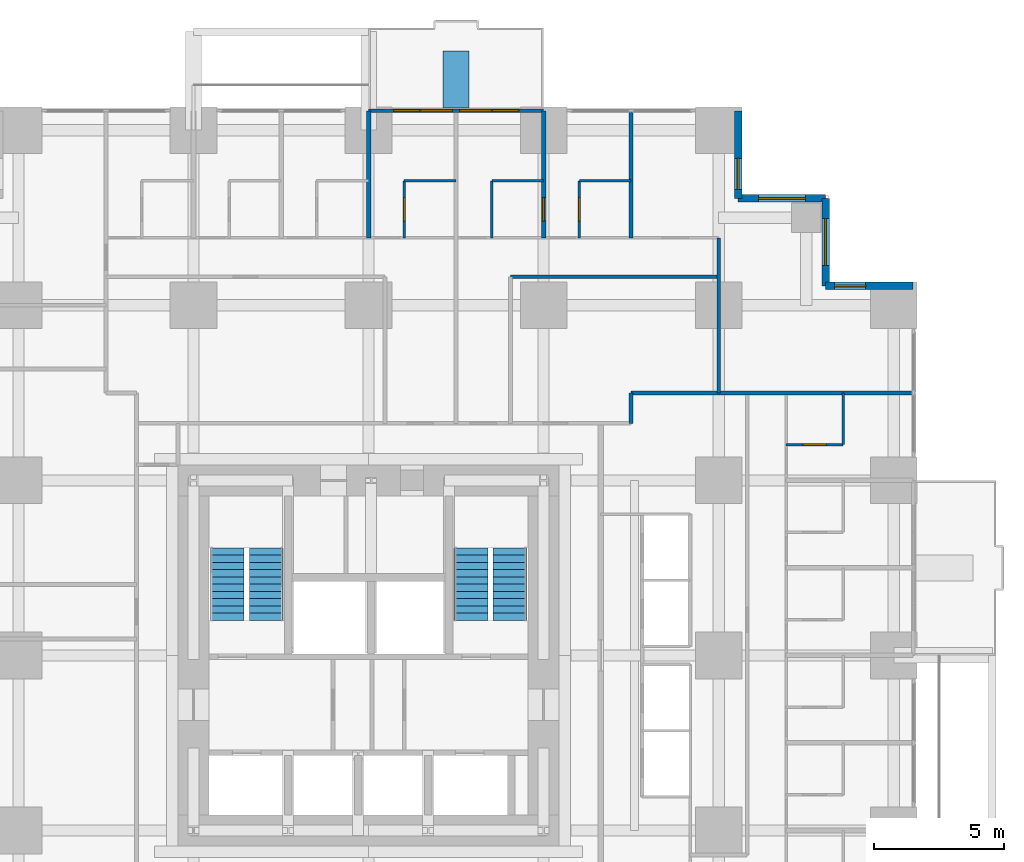
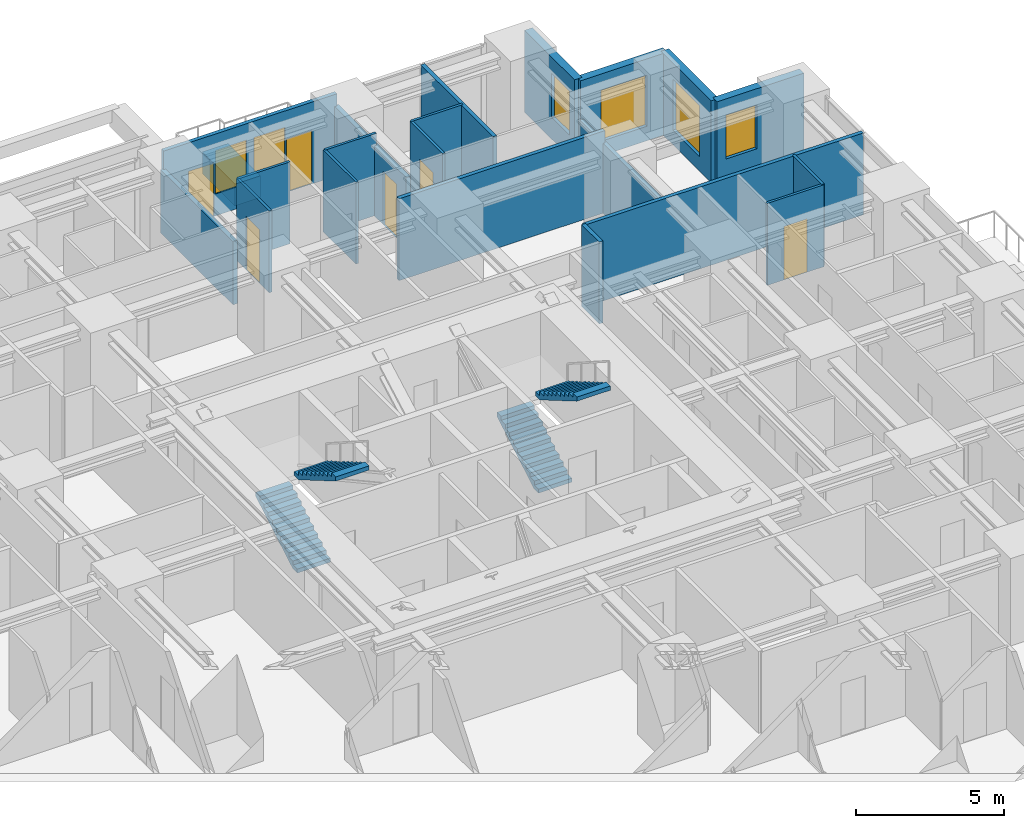
# One storey, part 13 of 14: 21 walls, 6 doors, 6 windows, 4 stair flights, 12 openings, 2 elements without a shape of their own.
"""IFC4 building model written with IfcOpenShell, lengths in metres."""

import ifcopenshell
import ifcopenshell.guid

model = None  # the IFC model being written
_history = None  # IfcOwnerHistory: only IFC2X3 demands one
_inside = {}  # id of a spatial element -> (the spatial element, [elements in it])
_under = {}  # id of a project, library or spatial element -> (it, [spatial elements below it])
_declared = {}  # id of a project -> (the project, [libraries it declares])
_typed = {}  # id of a type object -> (the type object, [elements of that type])
_made_of = {}  # id of a material, layer set ... -> (it, [elements and type objects made of it])


def new_model(schema):
    """Start an empty IFC model of exactly this schema.

    Asked for "IFC4X3", IfcOpenShell would pick the latest addendum, in which some entities
    have other attributes; the version numbers below select the first issue.
    IFC2X3 requires an IfcOwnerHistory on every rooted entity: one is made here for all.
    """
    global model, _history
    if schema == "IFC4X3":
        model = ifcopenshell.file(schema_version=(4, 3, 0, 0))
    else:
        model = ifcopenshell.file(schema=schema)
    _inside.clear()
    _under.clear()
    _declared.clear()
    _typed.clear()
    _made_of.clear()
    _history = None
    if model.schema == "IFC2X3":
        org = make("IfcOrganization", Name="unknown")
        user = make(
            "IfcPersonAndOrganization",
            ThePerson=make("IfcPerson", FamilyName="unknown"),
            TheOrganization=org,
        )
        app = make(
            "IfcApplication",
            ApplicationDeveloper=org,
            Version="unknown",
            ApplicationFullName="unknown",
            ApplicationIdentifier="unknown",
        )
        _history = make(
            "IfcOwnerHistory",
            OwningUser=user,
            OwningApplication=app,
            ChangeAction="ADDED",
            CreationDate=0,
        )
    return model


def make(cls, **values):
    """One entity of the class cls with the attributes given. An attribute that is None is left unset."""
    return model.create_entity(
        cls, **{name: value for name, value in values.items() if value is not None}
    )


def rooted(cls, **values):
    """An entity with a GlobalId (a new one), such as an element, a storey or a relation."""
    return make(cls, GlobalId=ifcopenshell.guid.new(), OwnerHistory=_history, **values)


def si_unit(unit_type, name, prefix=None):
    """IfcSIUnit, for example si_unit("LENGTHUNIT", "METRE", prefix="MILLI")."""
    return make("IfcSIUnit", UnitType=unit_type, Prefix=prefix, Name=name)


def assignment(units):
    """IfcUnitAssignment: the units of a project."""
    return None if units is None else make("IfcUnitAssignment", Units=units)


def point(xyz):
    """IfcCartesianPoint."""
    return None if xyz is None else make("IfcCartesianPoint", Coordinates=xyz)


def direction(xyz):
    """IfcDirection."""
    return None if xyz is None else make("IfcDirection", DirectionRatios=xyz)


def frame(location, z_axis=None, x_axis=None):
    """IfcAxis2Placement3D, a coordinate frame: its origin and axes. An axis left out is left unset."""
    return make(
        "IfcAxis2Placement3D",
        Location=point(location),
        Axis=direction(z_axis),
        RefDirection=direction(x_axis),
    )


def frame_2d(location, x_axis=None):
    """IfcAxis2Placement2D, a coordinate frame in the plane: its origin and x axis."""
    return make(
        "IfcAxis2Placement2D", Location=point(location), RefDirection=direction(x_axis)
    )


def origin():
    """The frame at (0, 0, 0) with its axes left unset."""
    return frame((0.0, 0.0, 0.0))


def place(relative_to, where):
    """IfcLocalPlacement: puts the frame where relative to a parent placement (None: the world)."""
    return make(
        "IfcLocalPlacement", PlacementRelTo=relative_to, RelativePlacement=where
    )


def context(
    kind, dimensions, precision=None, world=None, true_north=None, identifier=None
):
    """IfcGeometricRepresentationContext, for example the 3D "Model" context."""
    return make(
        "IfcGeometricRepresentationContext",
        ContextIdentifier=identifier,
        ContextType=kind,
        CoordinateSpaceDimension=dimensions,
        Precision=precision,
        WorldCoordinateSystem=world,
        TrueNorth=true_north,
    )


def subcontext(parent, identifier, kind, view, scale=None):
    """IfcGeometricRepresentationSubContext, for example "Body" below "Model"."""
    return make(
        "IfcGeometricRepresentationSubContext",
        ContextIdentifier=identifier,
        ContextType=kind,
        ParentContext=parent,
        TargetScale=scale,
        TargetView=view,
    )


def project(units=None, contexts=None):
    """IfcProject with its units and contexts."""
    return rooted(
        "IfcProject",
        Name="project",
        RepresentationContexts=contexts,
        UnitsInContext=assignment(units),
    )


def spatial(cls, under=None, at=None, **own):
    """A site, building, storey or space (cls), placed at a placement, below another one or the project."""
    s = rooted(cls, ObjectPlacement=at, **own)
    if under is not None:
        _under.setdefault(under.id(), (under, []))[1].append(s)
    return s


def polyline(points):
    """IfcPolyline through the points."""
    return make("IfcPolyline", Points=[point(p) for p in points])


def profile(cls, at=None, kind="AREA", **sizes):
    """A parametric profile (cls). Its sizes go by their IFC names, for example OverallWidth=200.0."""
    return make(cls, ProfileType=kind, Position=at, **sizes)


def rectangle(**sizes):
    """IfcRectangleProfileDef."""
    return profile("IfcRectangleProfileDef", **sizes)


def outline(outer, holes=None, kind="AREA"):
    """IfcArbitraryClosedProfileDef: a profile drawn as a closed curve; with holes, ...WithVoids."""
    if holes is None:
        return make("IfcArbitraryClosedProfileDef", ProfileType=kind, OuterCurve=outer)
    return make(
        "IfcArbitraryProfileDefWithVoids",
        ProfileType=kind,
        OuterCurve=outer,
        InnerCurves=holes,
    )


def extrude(swept, where, along, depth):
    """IfcExtrudedAreaSolid: the profile swept, set in the frame where, extruded along a direction by depth."""
    return make(
        "IfcExtrudedAreaSolid",
        SweptArea=swept,
        Position=where,
        ExtrudedDirection=direction(along),
        Depth=depth,
    )


def shape(context_of_items, identifier, shape_type, items):
    """IfcShapeRepresentation: the items that make up one representation, for example the "Body"."""
    return make(
        "IfcShapeRepresentation",
        ContextOfItems=context_of_items,
        RepresentationIdentifier=identifier,
        RepresentationType=shape_type,
        Items=items,
    )


def material(Name=None, Category=None):
    """IfcMaterial."""
    return make("IfcMaterial", Name=Name, Category=Category)


def layer(
    of_material, thickness, ventilated=None, Name=None, Category=None, Priority=None
):
    """IfcMaterialLayer: one layer of a wall or slab, of a material (None: an air gap)."""
    return make(
        "IfcMaterialLayer",
        Material=of_material,
        LayerThickness=thickness,
        IsVentilated=ventilated,
        Name=Name,
        Category=Category,
        Priority=Priority,
    )


def layer_set(layers, Name=None):
    """IfcMaterialLayerSet."""
    return make("IfcMaterialLayerSet", MaterialLayers=layers, LayerSetName=Name)


def made_of(thing, what):
    """Note that an element or type object is made of a material, layer set ...; save() writes the relation."""
    if what is not None:
        _made_of.setdefault(what.id(), (what, []))[1].append(thing)
    return thing


def type_object(cls, material=None, **own):
    """A type object (cls), such as IfcWallType, which elements share."""
    return made_of(rooted(cls, **own), material)


def element(
    cls,
    number,
    at=None,
    inside=None,
    cuts=None,
    type_object=None,
    material=None,
    context=None,
    identifier="Body",
    shape_type=None,
    held_by="IfcProductDefinitionShape",
    body=None,
    shapes=None,
    **own,
):
    """One element of the class cls, such as IfcWall. Its Tag is "e" and its number.

    at: its placement. inside: the storey or other place that contains it. cuts: it is an
    opening in that element (IfcRelVoidsElement). A single representation is given by context,
    identifier, shape_type and body (its items); several are given by shapes. held_by: the class
    of the entity that holds the representations. save() writes the other relations.
    """
    e = rooted(cls, Tag="e%d" % number, ObjectPlacement=at, **own)
    if body is not None:
        shapes = [shape(context, identifier, shape_type, body)]
    if shapes is not None:
        e.Representation = make(held_by, Representations=shapes)
    if inside is not None:
        _inside.setdefault(inside.id(), (inside, []))[1].append(e)
    if cuts is not None:
        rooted(
            "IfcRelVoidsElement", RelatingBuildingElement=cuts, RelatedOpeningElement=e
        )
    if type_object is not None:
        _typed.setdefault(type_object.id(), (type_object, []))[1].append(e)
    return made_of(e, material)


def fill(opening, filler):
    """IfcRelFillsElement: the door or window that sits in an opening."""
    return rooted(
        "IfcRelFillsElement",
        RelatingOpeningElement=opening,
        RelatedBuildingElement=filler,
    )


def aggregate(whole, parts):
    """IfcRelAggregates: a whole, such as a stair, and the parts it consists of."""
    return rooted("IfcRelAggregates", RelatingObject=whole, RelatedObjects=parts)


def save(model, path):
    """Write the relations noted so far, then the file.

    IfcRelAggregates (storeys below a building ...), IfcRelContainedInSpatialStructure (elements
    in a storey), IfcRelDefinesByType, IfcRelAssociatesMaterial and IfcRelDeclares: one each for
    every whole, place, type object, material and project.
    """
    for whole, parts in _under.values():
        aggregate(whole, parts)
    for where, things in _inside.values():
        rooted(
            "IfcRelContainedInSpatialStructure",
            RelatedElements=things,
            RelatingStructure=where,
        )
    for kind, things in _typed.values():
        rooted("IfcRelDefinesByType", RelatedObjects=things, RelatingType=kind)
    for what, things in _made_of.values():
        rooted("IfcRelAssociatesMaterial", RelatedObjects=things, RelatingMaterial=what)
    for by, libraries in _declared.values():
        rooted("IfcRelDeclares", RelatingContext=by, RelatedDefinitions=libraries)
    model.write(path)


model = new_model("IFC4")

# Units and contexts
model_context = context("Model", 3, precision=1e-05, world=origin(), true_north=direction((0.0, 1.0)))
body_context = subcontext(model_context, "Body", "Model", "MODEL_VIEW")
ifc_project = project(units=[si_unit("LENGTHUNIT", "METRE"), si_unit("AREAUNIT", "SQUARE_METRE"), si_unit("VOLUMEUNIT", "CUBIC_METRE"), si_unit("PLANEANGLEUNIT", "RADIAN"), si_unit("MASSUNIT", "GRAM", prefix="KILO")], contexts=[model_context])

# Site, building, storey
site_placement = place(None, origin())
site = spatial("IfcSite", under=ifc_project, at=site_placement, CompositionType="ELEMENT")
building_placement = place(site_placement, origin())
building = spatial("IfcBuilding", under=site, at=building_placement, Name="Nyansa Garden Tower", CompositionType="ELEMENT")
storey_placement = place(building_placement, frame((0.0, 0.0, 50.39990234375)))
storey = spatial("IfcBuildingStorey", under=building, at=storey_placement, Name="L13", CompositionType="ELEMENT", Elevation=50.39990234375)

# Wall
ifc_material_1 = material(Name="Dense blockwork, plastered both sides, 55 dB", Category="masonry")
ifc_layer_1 = layer(ifc_material_1, 0.175048828125)
ifc_layer_set_1 = layer_set([ifc_layer_1], Name="Acoustic party wall PW175")
wall_type_1 = type_object("IfcWallType", Name="Acoustic party wall PW175", PredefinedType="PARTITIONING", material=ifc_layer_set_1)
wall_1_placement = place(storey_placement, frame((20.25, 36.35009765625, 0.0), z_axis=(0.0, 0.0, 1.0), x_axis=(0.0, 1.0, 0.0)))
element("IfcWall", 1, at=wall_1_placement, inside=storey, type_object=wall_type_1, Name="Party wall", PredefinedType="PARTITIONING", context=body_context, shape_type="SweptSolid", body=[
    extrude(rectangle(XDim=4.8837890625, YDim=0.175048828125, at=frame_2d((2.44189453125, 0.0))), origin(), (0.0, 0.0, 1.0), 2.610107421875),
])

# Wall, opening, door
wall_2_placement = place(storey_placement, frame((27.0, 36.35009765625, 0.0), z_axis=(0.0, 0.0, 1.0), x_axis=(0.0, 1.0, 0.0)))
wall_2 = element("IfcWall", 2, at=wall_2_placement, inside=storey, type_object=wall_type_1, Name="Party wall", PredefinedType="PARTITIONING", context=body_context, shape_type="SweptSolid", body=[
    extrude(rectangle(XDim=4.8837890625, YDim=0.175048828125, at=frame_2d((2.44189453125, 0.0))), origin(), (0.0, 0.0, 1.0), 2.877197265625),
])
opening_1_placement = place(wall_2_placement, frame((0.64990234375, 0.0, 0.0)))
opening_1 = element("IfcOpeningElement", 3, at=opening_1_placement, cuts=wall_2, Name="Opening D02", PredefinedType="OPENING", context=body_context, shape_type="SweptSolid", body=[
    extrude(rectangle(XDim=0.89990234375, YDim=2.199951171875, at=frame_2d((0.449951171875, 1.10009765625))), frame((0.0, 0.097412109375, 0.0), z_axis=(0.0, -1.0, 0.0), x_axis=(1.0, 0.0, 0.0)), (0.0, 0.0, 1.0), 0.195068359375),
])
ifc_material_2 = material(Name="Timber flush door", Category="wood")
door_type_1 = type_object("IfcDoorType", Name="En-suite door D02 900x2200", OperationType="SINGLE_SWING_RIGHT", PredefinedType="DOOR", material=ifc_material_2)
door_1_placement = place(opening_1_placement, origin())
door_1 = element("IfcDoor", 4, at=door_1_placement, inside=storey, type_object=door_type_1, Name="Door L13-053", OperationType="SINGLE_SWING_RIGHT", OverallHeight=2.199951171875, OverallWidth=0.89990234375, PredefinedType="DOOR", context=body_context, shape_type="SweptSolid", body=[
    extrude(rectangle(XDim=0.89990234375, YDim=2.199951171875, at=frame_2d((0.449951171875, 1.10009765625))), frame((0.0, 0.02490234375, 0.0), z_axis=(0.0, -1.0, 0.0), x_axis=(1.0, 0.0, 0.0)), (0.0, 0.0, 1.0), 0.050048828125),
])
fill(opening_1, door_1)

# Wall, openings, doors, windows
ifc_material_3 = material(Name="Black aluminium framed glazed screen", Category="aluminium")
ifc_layer_2 = layer(ifc_material_3, 0.14990234375)
ifc_layer_set_2 = layer_set([ifc_layer_2], Name="Balcony screen wall BW150")
wall_type_2 = type_object("IfcWallType", Name="Balcony screen wall BW150", PredefinedType="SOLIDWALL", material=ifc_layer_set_2)
wall_3_placement = place(storey_placement, frame((20.25, 41.25, 0.0), z_axis=(0.0, 0.0, 1.0), x_axis=(1.0, 0.0, 0.0)))
wall_3 = element("IfcWall", 5, at=wall_3_placement, inside=storey, type_object=wall_type_2, Name="Glazed screen wall L13 N", PredefinedType="SOLIDWALL", context=body_context, shape_type="SweptSolid", body=[
    extrude(rectangle(XDim=6.75, YDim=0.14990234375, at=frame_2d((3.375, 0.0))), origin(), (0.0, 0.0, 1.0), 3.375),
])
opening_2_placement = place(wall_3_placement, frame((0.96240234375, 0.0, 0.0)))
opening_2 = element("IfcOpeningElement", 6, at=opening_2_placement, cuts=wall_3, Name="Opening D20", PredefinedType="OPENING", context=body_context, shape_type="SweptSolid", body=[
    extrude(rectangle(XDim=1.0, YDim=2.199951171875, at=frame_2d((0.5, 1.10009765625))), frame((0.0, 0.0849609375, 0.0), z_axis=(0.0, -1.0, 0.0), x_axis=(1.0, 0.0, 0.0)), (0.0, 0.0, 1.0), 0.169921875),
])
opening_3_placement = place(wall_3_placement, frame((2.02490234375, 0.0, 0.89990234375)))
opening_3 = element("IfcOpeningElement", 7, at=opening_3_placement, cuts=wall_3, Name="Opening W6", PredefinedType="OPENING", context=body_context, shape_type="SweptSolid", body=[
    extrude(rectangle(XDim=1.199951171875, YDim=1.800048828125, at=frame_2d((0.60009765625, 0.89990234375))), frame((0.0, 0.0849609375, 0.0), z_axis=(0.0, -1.0, 0.0), x_axis=(1.0, 0.0, 0.0)), (0.0, 0.0, 1.0), 0.169921875),
])
opening_4_placement = place(wall_3_placement, frame((4.78759765625, 0.0, 0.0)))
opening_4 = element("IfcOpeningElement", 8, at=opening_4_placement, cuts=wall_3, Name="Opening D20", PredefinedType="OPENING", context=body_context, shape_type="SweptSolid", body=[
    extrude(rectangle(XDim=1.0, YDim=2.199951171875, at=frame_2d((0.5, 1.10009765625))), frame((0.0, 0.0849609375, 0.0), z_axis=(0.0, -1.0, 0.0), x_axis=(1.0, 0.0, 0.0)), (0.0, 0.0, 1.0), 0.169921875),
])
opening_5_placement = place(wall_3_placement, frame((3.52490234375, 0.0, 0.89990234375)))
opening_5 = element("IfcOpeningElement", 9, at=opening_5_placement, cuts=wall_3, Name="Opening W6", PredefinedType="OPENING", context=body_context, shape_type="SweptSolid", body=[
    extrude(rectangle(XDim=1.199951171875, YDim=1.800048828125, at=frame_2d((0.60009765625, 0.89990234375))), frame((0.0, 0.0849609375, 0.0), z_axis=(0.0, -1.0, 0.0), x_axis=(1.0, 0.0, 0.0)), (0.0, 0.0, 1.0), 0.169921875),
])
ifc_material_4 = material(Name="Black aluminium framed glazed door", Category="aluminium")
door_type_2 = type_object("IfcDoorType", Name="Balcony door D20 1000x2200", OperationType="NOTDEFINED", PredefinedType="DOOR", material=ifc_material_4)
door_2_placement = place(opening_2_placement, origin())
door_2 = element("IfcDoor", 10, at=door_2_placement, inside=storey, type_object=door_type_2, Name="Balcony door L13", OperationType="SINGLE_SWING_LEFT", OverallHeight=2.199951171875, OverallWidth=1.0, PredefinedType="DOOR", context=body_context, shape_type="SweptSolid", body=[
    extrude(rectangle(XDim=1.0, YDim=2.199951171875, at=frame_2d((0.5, 1.10009765625))), frame((0.0, 0.02490234375, 0.0), z_axis=(0.0, -1.0, 0.0), x_axis=(1.0, 0.0, 0.0)), (0.0, 0.0, 1.0), 0.050048828125),
])
fill(opening_2, door_2)
door_3_placement = place(opening_4_placement, origin())
door_3 = element("IfcDoor", 11, at=door_3_placement, inside=storey, type_object=door_type_2, Name="Balcony door L13", OperationType="SINGLE_SWING_RIGHT", OverallHeight=2.199951171875, OverallWidth=1.0, PredefinedType="DOOR", context=body_context, shape_type="SweptSolid", body=[
    extrude(rectangle(XDim=1.0, YDim=2.199951171875, at=frame_2d((0.5, 1.10009765625))), frame((0.0, 0.02490234375, 0.0), z_axis=(0.0, -1.0, 0.0), x_axis=(1.0, 0.0, 0.0)), (0.0, 0.0, 1.0), 0.050048828125),
])
fill(opening_4, door_3)
ifc_material_5 = material(Name="Black aluminium frame, dark tinted double glazing", Category="aluminium")
window_type_1 = type_object("IfcWindowType", Name="Balcony window W6 1200x1800", PartitioningType="SINGLE_PANEL", PredefinedType="WINDOW", material=ifc_material_5)
window_1_placement = place(opening_3_placement, origin())
window_1 = element("IfcWindow", 12, at=window_1_placement, inside=storey, type_object=window_type_1, Name="Window L13", OverallHeight=1.800048828125, OverallWidth=1.199951171875, PartitioningType="SINGLE_PANEL", PredefinedType="WINDOW", context=body_context, shape_type="SweptSolid", body=[
    extrude(rectangle(XDim=1.199951171875, YDim=1.800048828125, at=frame_2d((0.60009765625, 0.89990234375))), frame((0.0, 0.030029296875, 0.0), z_axis=(0.0, -1.0, 0.0), x_axis=(1.0, 0.0, 0.0)), (0.0, 0.0, 1.0), 0.06005859375),
])
fill(opening_3, window_1)
window_2_placement = place(opening_5_placement, origin())
window_2 = element("IfcWindow", 13, at=window_2_placement, inside=storey, type_object=window_type_1, Name="Window L13", OverallHeight=1.800048828125, OverallWidth=1.199951171875, PartitioningType="SINGLE_PANEL", PredefinedType="WINDOW", context=body_context, shape_type="SweptSolid", body=[
    extrude(rectangle(XDim=1.199951171875, YDim=1.800048828125, at=frame_2d((0.60009765625, 0.89990234375))), frame((0.0, 0.030029296875, 0.0), z_axis=(0.0, -1.0, 0.0), x_axis=(1.0, 0.0, 0.0)), (0.0, 0.0, 1.0), 0.06005859375),
])
fill(opening_5, window_2)

# Walls
ifc_material_6 = material(Name="Blockwork, plastered both sides", Category="masonry")
ifc_layer_3 = layer(ifc_material_6, 0.14990234375)
ifc_layer_set_3 = layer_set([ifc_layer_3], Name="Partition PW150")
wall_type_3 = type_object("IfcWallType", Name="Partition PW150", PredefinedType="PARTITIONING", material=ifc_layer_set_3)
wall_4_placement = place(storey_placement, frame((25.72509765625, 34.85009765625, 0.0), z_axis=(0.0, 0.0, 1.0), x_axis=(1.0, 0.0, 0.0)))
element("IfcWall", 14, at=wall_4_placement, inside=storey, type_object=wall_type_3, Name="Partition", PredefinedType="PARTITIONING", context=body_context, shape_type="SweptSolid", body=[
    extrude(rectangle(XDim=8.02490234375, YDim=0.14990234375, at=frame_2d((4.012451171875, 0.0))), origin(), (0.0, 0.0, 1.0), 3.375),
])
wall_5_placement = place(storey_placement, frame((30.375, 29.199951171875, 0.0), z_axis=(0.0, 0.0, 1.0), x_axis=(0.0, 1.0, 0.0)))
element("IfcWall", 15, at=wall_5_placement, inside=storey, type_object=wall_type_3, Name="Partition", PredefinedType="PARTITIONING", context=body_context, shape_type="SweptSolid", body=[
    extrude(rectangle(XDim=1.175048828125, YDim=0.14990234375, at=frame_2d((0.58740234375, 0.0))), origin(), (0.0, 0.0, 1.0), 3.375),
])
wall_6_placement = place(storey_placement, frame((30.375, 30.375, 0.0), z_axis=(0.0, 0.0, 1.0), x_axis=(1.0, 0.0, 0.0)))
element("IfcWall", 16, at=wall_6_placement, inside=storey, type_object=wall_type_3, Name="Partition", PredefinedType="PARTITIONING", context=body_context, shape_type="SweptSolid", body=[
    extrude(rectangle(XDim=10.85888671875, YDim=0.14990234375, at=frame_2d((5.429443359375, 0.0))), origin(), (0.0, 0.0, 1.0), 3.375),
])
wall_7_placement = place(storey_placement, frame((30.375, 36.35009765625, 0.0), z_axis=(0.0, 0.0, 1.0), x_axis=(0.0, 1.0, 0.0)))
element("IfcWall", 17, at=wall_7_placement, inside=storey, type_object=wall_type_3, Name="Partition", PredefinedType="PARTITIONING", context=body_context, shape_type="SweptSolid", body=[
    extrude(rectangle(XDim=4.8837890625, YDim=0.14990234375, at=frame_2d((2.44189453125, 0.0))), origin(), (0.0, 0.0, 1.0), 3.375),
])
wall_8_placement = place(storey_placement, frame((33.75, 30.375, 0.0), z_axis=(0.0, 0.0, 1.0), x_axis=(0.0, 1.0, 0.0)))
element("IfcWall", 18, at=wall_8_placement, inside=storey, type_object=wall_type_3, Name="Partition", PredefinedType="PARTITIONING", context=body_context, shape_type="SweptSolid", body=[
    extrude(rectangle(XDim=5.97509765625, YDim=0.14990234375, at=frame_2d((2.987548828125, 0.0))), origin(), (0.0, 0.0, 1.0), 2.877197265625),
])

# Wall, opening, window
ifc_material_7 = material(Name="Turquoise glazed tile on concrete blockwork", Category="masonry")
ifc_layer_4 = layer(ifc_material_7, 0.300048828125)
ifc_layer_set_4 = layer_set([ifc_layer_4], Name="Tiled corner wall TW300")
wall_type_4 = type_object("IfcWallType", Name="Tiled corner wall TW300", PredefinedType="SOLIDWALL", material=ifc_layer_set_4)
wall_9_placement = place(storey_placement, frame((41.25, 34.5, 0.0), z_axis=(0.0, 0.0, 1.0), x_axis=(-1.0, 0.0, 0.0)))
wall_9 = element("IfcWall", 19, at=wall_9_placement, inside=storey, type_object=wall_type_4, Name="Tiled corner wall L13", PredefinedType="SOLIDWALL", context=body_context, shape_type="SweptSolid", body=[
    extrude(rectangle(XDim=3.375, YDim=0.300048828125, at=frame_2d((1.6875, 0.0))), origin(), (0.0, 0.0, 1.0), 3.375),
])
opening_6_placement = place(wall_9_placement, frame((1.83251953125, 0.0, 0.89990234375)))
opening_6 = element("IfcOpeningElement", 20, at=opening_6_placement, cuts=wall_9, Name="Opening W4", PredefinedType="OPENING", context=body_context, shape_type="SweptSolid", body=[
    extrude(rectangle(XDim=1.199951171875, YDim=1.800048828125, at=frame_2d((0.60009765625, 0.89990234375))), frame((0.0, 0.159912109375, 0.0), z_axis=(0.0, -1.0, 0.0), x_axis=(1.0, 0.0, 0.0)), (0.0, 0.0, 1.0), 0.320068359375),
])
ifc_material_8 = material(Name="Black aluminium frame, dark tinted double glazing", Category="aluminium")
window_type_2 = type_object("IfcWindowType", Name="Window W4 1200x1800", PartitioningType="SINGLE_PANEL", PredefinedType="WINDOW", material=ifc_material_8)
window_3_placement = place(opening_6_placement, origin())
window_3 = element("IfcWindow", 21, at=window_3_placement, inside=storey, type_object=window_type_2, Name="Corner window L13", OverallHeight=1.800048828125, OverallWidth=1.199951171875, PartitioningType="SINGLE_PANEL", PredefinedType="WINDOW", context=body_context, shape_type="SweptSolid", body=[
    extrude(rectangle(XDim=1.199951171875, YDim=1.800048828125, at=frame_2d((0.60009765625, 0.89990234375))), frame((0.0, 0.030029296875, 0.0), z_axis=(0.0, -1.0, 0.0), x_axis=(1.0, 0.0, 0.0)), (0.0, 0.0, 1.0), 0.06005859375),
])
fill(opening_6, window_3)

wall_10_placement = place(storey_placement, frame((37.875, 34.5, 0.0), z_axis=(0.0, 0.0, 1.0), x_axis=(0.0, 1.0, 0.0)))
wall_10 = element("IfcWall", 22, at=wall_10_placement, inside=storey, type_object=wall_type_4, Name="Tiled corner wall L13", PredefinedType="SOLIDWALL", context=body_context, shape_type="SweptSolid", body=[
    extrude(rectangle(XDim=3.375, YDim=0.300048828125, at=frame_2d((1.6875, 0.0))), origin(), (0.0, 0.0, 1.0), 3.375),
])
opening_7_placement = place(wall_10_placement, frame((0.78759765625, 0.0, 0.60009765625)))
opening_7 = element("IfcOpeningElement", 23, at=opening_7_placement, cuts=wall_10, Name="Opening W2", PredefinedType="OPENING", context=body_context, shape_type="SweptSolid", body=[
    extrude(rectangle(XDim=1.800048828125, YDim=2.10009765625, at=frame_2d((0.89990234375, 1.050048828125))), frame((0.0, 0.159912109375, 0.0), z_axis=(0.0, -1.0, 0.0), x_axis=(1.0, 0.0, 0.0)), (0.0, 0.0, 1.0), 0.320068359375),
])
ifc_material_9 = material(Name="Black aluminium frame, dark tinted double glazing", Category="aluminium")
window_type_3 = type_object("IfcWindowType", Name="Window W2 1800x2100", PartitioningType="SINGLE_PANEL", PredefinedType="WINDOW", material=ifc_material_9)
window_4_placement = place(opening_7_placement, origin())
window_4 = element("IfcWindow", 24, at=window_4_placement, inside=storey, type_object=window_type_3, Name="Corner window L13", OverallHeight=2.10009765625, OverallWidth=1.800048828125, PartitioningType="SINGLE_PANEL", PredefinedType="WINDOW", context=body_context, shape_type="SweptSolid", body=[
    extrude(rectangle(XDim=1.800048828125, YDim=2.10009765625, at=frame_2d((0.89990234375, 1.050048828125))), frame((0.0, 0.030029296875, 0.0), z_axis=(0.0, -1.0, 0.0), x_axis=(1.0, 0.0, 0.0)), (0.0, 0.0, 1.0), 0.06005859375),
])
fill(opening_7, window_4)

wall_11_placement = place(storey_placement, frame((37.875, 37.875, 0.0), z_axis=(0.0, 0.0, 1.0), x_axis=(-1.0, 0.0, 0.0)))
wall_11 = element("IfcWall", 25, at=wall_11_placement, inside=storey, type_object=wall_type_4, Name="Tiled corner wall L13", PredefinedType="SOLIDWALL", context=body_context, shape_type="SweptSolid", body=[
    extrude(rectangle(XDim=3.375, YDim=0.300048828125, at=frame_2d((1.6875, 0.0))), origin(), (0.0, 0.0, 1.0), 3.375),
])
opening_8_placement = place(wall_11_placement, frame((0.78759765625, 0.0, 0.60009765625)))
opening_8 = element("IfcOpeningElement", 26, at=opening_8_placement, cuts=wall_11, Name="Opening W2", PredefinedType="OPENING", context=body_context, shape_type="SweptSolid", body=[
    extrude(rectangle(XDim=1.800048828125, YDim=2.10009765625, at=frame_2d((0.89990234375, 1.050048828125))), frame((0.0, 0.159912109375, 0.0), z_axis=(0.0, -1.0, 0.0), x_axis=(1.0, 0.0, 0.0)), (0.0, 0.0, 1.0), 0.320068359375),
])
window_5_placement = place(opening_8_placement, origin())
window_5 = element("IfcWindow", 27, at=window_5_placement, inside=storey, type_object=window_type_3, Name="Corner window L13", OverallHeight=2.10009765625, OverallWidth=1.800048828125, PartitioningType="SINGLE_PANEL", PredefinedType="WINDOW", context=body_context, shape_type="SweptSolid", body=[
    extrude(rectangle(XDim=1.800048828125, YDim=2.10009765625, at=frame_2d((0.89990234375, 1.050048828125))), frame((0.0, 0.030029296875, 0.0), z_axis=(0.0, -1.0, 0.0), x_axis=(1.0, 0.0, 0.0)), (0.0, 0.0, 1.0), 0.06005859375),
])
fill(opening_8, window_5)

wall_12_placement = place(storey_placement, frame((34.5, 37.875, 0.0), z_axis=(0.0, 0.0, 1.0), x_axis=(0.0, 1.0, 0.0)))
wall_12 = element("IfcWall", 28, at=wall_12_placement, inside=storey, type_object=wall_type_4, Name="Tiled corner wall L13", PredefinedType="SOLIDWALL", context=body_context, shape_type="SweptSolid", body=[
    extrude(rectangle(XDim=3.375, YDim=0.300048828125, at=frame_2d((1.6875, 0.0))), origin(), (0.0, 0.0, 1.0), 3.375),
])
opening_9_placement = place(wall_12_placement, frame((0.342529296875, 0.0, 0.89990234375)))
opening_9 = element("IfcOpeningElement", 29, at=opening_9_placement, cuts=wall_12, Name="Opening W4", PredefinedType="OPENING", context=body_context, shape_type="SweptSolid", body=[
    extrude(rectangle(XDim=1.199951171875, YDim=1.800048828125, at=frame_2d((0.60009765625, 0.89990234375))), frame((0.0, 0.159912109375, 0.0), z_axis=(0.0, -1.0, 0.0), x_axis=(1.0, 0.0, 0.0)), (0.0, 0.0, 1.0), 0.320068359375),
])
window_6_placement = place(opening_9_placement, origin())
window_6 = element("IfcWindow", 30, at=window_6_placement, inside=storey, type_object=window_type_2, Name="Corner window L13", OverallHeight=1.800048828125, OverallWidth=1.199951171875, PartitioningType="SINGLE_PANEL", PredefinedType="WINDOW", context=body_context, shape_type="SweptSolid", body=[
    extrude(rectangle(XDim=1.199951171875, YDim=1.800048828125, at=frame_2d((0.60009765625, 0.89990234375))), frame((0.0, 0.030029296875, 0.0), z_axis=(0.0, -1.0, 0.0), x_axis=(1.0, 0.0, 0.0)), (0.0, 0.0, 1.0), 0.06005859375),
])
fill(opening_9, window_6)

# Wall
ifc_material_10 = material(Name="Concrete C40/50 planter, waterproofed", Category="concrete")
ifc_layer_5 = layer(ifc_material_10, 1.0)
ifc_layer_set_5 = layer_set([ifc_layer_5], Name="Tree planter TP1")
wall_type_5 = type_object("IfcWallType", Name="Tree planter TP1", PredefinedType="USERDEFINED", material=ifc_layer_set_5)
wall_13_placement = place(storey_placement, frame((23.625, 41.35009765625, 0.0), z_axis=(0.0, 0.0, 1.0), x_axis=(0.0, 1.0, 0.0)))
element("IfcWall", 31, at=wall_13_placement, inside=storey, type_object=wall_type_5, Name="Tree planter L13", ObjectType="TREE PLANTER", PredefinedType="USERDEFINED", context=body_context, shape_type="SweptSolid", body=[
    extrude(rectangle(XDim=2.199951171875, YDim=1.0, at=frame_2d((1.10009765625, 0.0))), origin(), (0.0, 0.0, 1.0), 0.900146484375),
])

# Wall, opening, door
ifc_material_11 = material(Name="Moisture resistant board on steel studs, tiled", Category="steel")
ifc_layer_6 = layer(ifc_material_11, 0.10009765625)
ifc_layer_set_6 = layer_set([ifc_layer_6], Name="Wet wall PW100")
wall_type_6 = type_object("IfcWallType", Name="Wet wall PW100", PredefinedType="PARTITIONING", material=ifc_layer_set_6)
wall_14_placement = place(storey_placement, frame((21.625, 36.35009765625, 0.0), z_axis=(0.0, 0.0, 1.0), x_axis=(0.0, 1.0, 0.0)))
wall_14 = element("IfcWall", 32, at=wall_14_placement, inside=storey, type_object=wall_type_6, Name="Wet wall", PredefinedType="PARTITIONING", context=body_context, shape_type="SweptSolid", body=[
    extrude(rectangle(XDim=2.199951171875, YDim=0.10009765625, at=frame_2d((1.10009765625, 0.0))), origin(), (0.0, 0.0, 1.0), 3.375),
])
opening_10_placement = place(wall_14_placement, frame((0.64990234375, 0.0, 0.0)))
opening_10 = element("IfcOpeningElement", 33, at=opening_10_placement, cuts=wall_14, Name="Opening D02", PredefinedType="OPENING", context=body_context, shape_type="SweptSolid", body=[
    extrude(rectangle(XDim=0.89990234375, YDim=2.199951171875, at=frame_2d((0.449951171875, 1.10009765625))), frame((0.0, 0.06005859375, 0.0), z_axis=(0.0, -1.0, 0.0), x_axis=(1.0, 0.0, 0.0)), (0.0, 0.0, 1.0), 0.1201171875),
])
door_4_placement = place(opening_10_placement, origin())
door_4 = element("IfcDoor", 34, at=door_4_placement, inside=storey, type_object=door_type_1, Name="Door L13-062", OperationType="SINGLE_SWING_RIGHT", OverallHeight=2.199951171875, OverallWidth=0.89990234375, PredefinedType="DOOR", context=body_context, shape_type="SweptSolid", body=[
    extrude(rectangle(XDim=0.89990234375, YDim=2.199951171875, at=frame_2d((0.449951171875, 1.10009765625))), frame((0.0, 0.02490234375, 0.0), z_axis=(0.0, -1.0, 0.0), x_axis=(1.0, 0.0, 0.0)), (0.0, 0.0, 1.0), 0.050048828125),
])
fill(opening_10, door_4)

# Walls
wall_15_placement = place(storey_placement, frame((21.625, 38.550048828125, 0.0), z_axis=(0.0, 0.0, 1.0), x_axis=(1.0, 0.0, 0.0)))
element("IfcWall", 35, at=wall_15_placement, inside=storey, type_object=wall_type_6, Name="Wet wall", PredefinedType="PARTITIONING", context=body_context, shape_type="SweptSolid", body=[
    extrude(rectangle(XDim=2.0, YDim=0.10009765625, at=frame_2d((1.0, 0.0))), origin(), (0.0, 0.0, 1.0), 3.375),
])
wall_16_placement = place(storey_placement, frame((25.0, 36.35009765625, 0.0), z_axis=(0.0, 0.0, 1.0), x_axis=(0.0, 1.0, 0.0)))
element("IfcWall", 36, at=wall_16_placement, inside=storey, type_object=wall_type_6, Name="Wet wall", PredefinedType="PARTITIONING", context=body_context, shape_type="SweptSolid", body=[
    extrude(rectangle(XDim=2.199951171875, YDim=0.10009765625, at=frame_2d((1.10009765625, 0.0))), origin(), (0.0, 0.0, 1.0), 3.375),
])
wall_17_placement = place(storey_placement, frame((25.0, 38.550048828125, 0.0), z_axis=(0.0, 0.0, 1.0), x_axis=(1.0, 0.0, 0.0)))
element("IfcWall", 37, at=wall_17_placement, inside=storey, type_object=wall_type_6, Name="Wet wall", PredefinedType="PARTITIONING", context=body_context, shape_type="SweptSolid", body=[
    extrude(rectangle(XDim=2.0, YDim=0.10009765625, at=frame_2d((1.0, 0.0))), origin(), (0.0, 0.0, 1.0), 3.375),
])

# Wall, opening, door
wall_18_placement = place(storey_placement, frame((28.375, 36.35009765625, 0.0), z_axis=(0.0, 0.0, 1.0), x_axis=(0.0, 1.0, 0.0)))
wall_18 = element("IfcWall", 38, at=wall_18_placement, inside=storey, type_object=wall_type_6, Name="Wet wall", PredefinedType="PARTITIONING", context=body_context, shape_type="SweptSolid", body=[
    extrude(rectangle(XDim=2.199951171875, YDim=0.10009765625, at=frame_2d((1.10009765625, 0.0))), origin(), (0.0, 0.0, 1.0), 3.375),
])
opening_11_placement = place(wall_18_placement, frame((0.64990234375, 0.0, 0.0)))
opening_11 = element("IfcOpeningElement", 39, at=opening_11_placement, cuts=wall_18, Name="Opening D02", PredefinedType="OPENING", context=body_context, shape_type="SweptSolid", body=[
    extrude(rectangle(XDim=0.89990234375, YDim=2.199951171875, at=frame_2d((0.449951171875, 1.10009765625))), frame((0.0, 0.06005859375, 0.0), z_axis=(0.0, -1.0, 0.0), x_axis=(1.0, 0.0, 0.0)), (0.0, 0.0, 1.0), 0.1201171875),
])
door_5_placement = place(opening_11_placement, origin())
door_5 = element("IfcDoor", 40, at=door_5_placement, inside=storey, type_object=door_type_1, Name="Door L13-051", OperationType="SINGLE_SWING_RIGHT", OverallHeight=2.199951171875, OverallWidth=0.89990234375, PredefinedType="DOOR", context=body_context, shape_type="SweptSolid", body=[
    extrude(rectangle(XDim=0.89990234375, YDim=2.199951171875, at=frame_2d((0.449951171875, 1.10009765625))), frame((0.0, 0.02490234375, 0.0), z_axis=(0.0, -1.0, 0.0), x_axis=(1.0, 0.0, 0.0)), (0.0, 0.0, 1.0), 0.050048828125),
])
fill(opening_11, door_5)

# Wall
wall_19_placement = place(storey_placement, frame((28.375, 38.550048828125, 0.0), z_axis=(0.0, 0.0, 1.0), x_axis=(1.0, 0.0, 0.0)))
element("IfcWall", 41, at=wall_19_placement, inside=storey, type_object=wall_type_6, Name="Wet wall", PredefinedType="PARTITIONING", context=body_context, shape_type="SweptSolid", body=[
    extrude(rectangle(XDim=2.0, YDim=0.10009765625, at=frame_2d((1.0, 0.0))), origin(), (0.0, 0.0, 1.0), 3.375),
])

# Wall, opening, door
wall_20_placement = place(storey_placement, frame((36.35009765625, 28.375, 0.0), z_axis=(0.0, 0.0, 1.0), x_axis=(1.0, 0.0, 0.0)))
wall_20 = element("IfcWall", 42, at=wall_20_placement, inside=storey, type_object=wall_type_6, Name="Wet wall", PredefinedType="PARTITIONING", context=body_context, shape_type="SweptSolid", body=[
    extrude(rectangle(XDim=2.199951171875, YDim=0.10009765625, at=frame_2d((1.10009765625, 0.0))), origin(), (0.0, 0.0, 1.0), 3.375),
])
opening_12_placement = place(wall_20_placement, frame((0.64990234375, 0.0, 0.0)))
opening_12 = element("IfcOpeningElement", 43, at=opening_12_placement, cuts=wall_20, Name="Opening D02", PredefinedType="OPENING", context=body_context, shape_type="SweptSolid", body=[
    extrude(rectangle(XDim=0.89990234375, YDim=2.199951171875, at=frame_2d((0.449951171875, 1.10009765625))), frame((0.0, 0.06005859375, 0.0), z_axis=(0.0, -1.0, 0.0), x_axis=(1.0, 0.0, 0.0)), (0.0, 0.0, 1.0), 0.1201171875),
])
door_6_placement = place(opening_12_placement, origin())
door_6 = element("IfcDoor", 44, at=door_6_placement, inside=storey, type_object=door_type_1, Name="Door L13-045", OperationType="SINGLE_SWING_RIGHT", OverallHeight=2.199951171875, OverallWidth=0.89990234375, PredefinedType="DOOR", context=body_context, shape_type="SweptSolid", body=[
    extrude(rectangle(XDim=0.89990234375, YDim=2.199951171875, at=frame_2d((0.449951171875, 1.10009765625))), frame((0.0, 0.02490234375, 0.0), z_axis=(0.0, -1.0, 0.0), x_axis=(1.0, 0.0, 0.0)), (0.0, 0.0, 1.0), 0.050048828125),
])
fill(opening_12, door_6)

# Wall
wall_21_placement = place(storey_placement, frame((38.550048828125, 28.375, 0.0), z_axis=(0.0, 0.0, 1.0), x_axis=(0.0, 1.0, 0.0)))
element("IfcWall", 45, at=wall_21_placement, inside=storey, type_object=wall_type_6, Name="Wet wall", PredefinedType="PARTITIONING", context=body_context, shape_type="SweptSolid", body=[
    extrude(rectangle(XDim=2.0, YDim=0.10009765625, at=frame_2d((1.0, 0.0))), origin(), (0.0, 0.0, 1.0), 3.375),
])

# Stair, stair flights
ifc_material_12 = material(Name="Precast concrete C40/50", Category="concrete")
stair_type_1 = type_object("IfcStairType", Name="Stair S1 164x280", PredefinedType="HALF_TURN_STAIR", material=ifc_material_12)
stair_1_placement = place(storey_placement, origin())
stair_1 = element("IfcStair", 46, at=stair_1_placement, inside=storey, type_object=stair_type_1, Name="Stair S1 L13", PredefinedType="HALF_TURN_STAIR")
ifc_material_13 = material(Name="Precast concrete C40/50", Category="concrete")
stair_flight_type_1 = type_object("IfcStairFlightType", Name="Stair flight S1 164x280x11", PredefinedType="STRAIGHT", material=ifc_material_13)
stair_flight_1_placement = place(storey_placement, frame((14.800048828125, 21.60009765625, 0.0), z_axis=(0.0, 0.0, 1.0), x_axis=(0.0, 1.0, 0.0)))
stair_flight_1 = element("IfcStairFlight", 47, at=stair_flight_1_placement, type_object=stair_flight_type_1, Name="S1 flight 1", NumberOfRisers=11, NumberOfTreads=10, PredefinedType="STRAIGHT", RiserHeight=0.163636364, TreadLength=0.28, context=body_context, shape_type="SweptSolid", body=[
    extrude(outline(polyline([(0.0, 0.0), (0.0, 0.16357421875), (0.280029296875, 0.16357421875), (0.280029296875, 0.327392578125), (0.56005859375, 0.327392578125), (0.56005859375, 0.490966796875), (0.840087890625, 0.490966796875), (0.840087890625, 0.654541015625), (1.1201171875, 0.654541015625), (1.1201171875, 0.818115234375), (1.39990234375, 0.818115234375), (1.39990234375, 0.98193359375), (1.679931640625, 0.98193359375), (1.679931640625, 1.1455078125), (1.9599609375, 1.1455078125), (1.9599609375, 1.30908203125), (2.239990234375, 1.30908203125), (2.239990234375, 1.47265625), (2.52001953125, 1.47265625), (2.52001953125, 1.636474609375), (2.800048828125, 1.636474609375), (2.800048828125, 1.800048828125), (2.800048828125, 1.462646484375), (0.297119140625, 0.0), (0.0, 0.0)])), frame((0.0, 0.64990234375, 0.0), z_axis=(0.0, -1.0, 0.0), x_axis=(1.0, 0.0, 0.0)), (0.0, 0.0, 1.0), 1.300048828125),
])
stair_flight_2_placement = place(storey_placement, frame((16.300048828125, 24.39990234375, 1.800048828125), z_axis=(0.0, 0.0, 1.0), x_axis=(0.0, -1.0, 0.0)))
stair_flight_2 = element("IfcStairFlight", 48, at=stair_flight_2_placement, type_object=stair_flight_type_1, Name="S1 flight 2", NumberOfRisers=11, NumberOfTreads=10, PredefinedType="STRAIGHT", RiserHeight=0.163636364, TreadLength=0.28, context=body_context, shape_type="SweptSolid", body=[
    extrude(outline(polyline([(0.0, 0.0), (0.0, 0.16357421875), (0.280029296875, 0.16357421875), (0.280029296875, 0.327392578125), (0.56005859375, 0.327392578125), (0.56005859375, 0.490966796875), (0.840087890625, 0.490966796875), (0.840087890625, 0.654541015625), (1.1201171875, 0.654541015625), (1.1201171875, 0.818115234375), (1.39990234375, 0.818115234375), (1.39990234375, 0.98193359375), (1.679931640625, 0.98193359375), (1.679931640625, 1.1455078125), (1.9599609375, 1.1455078125), (1.9599609375, 1.30908203125), (2.239990234375, 1.30908203125), (2.239990234375, 1.47265625), (2.52001953125, 1.47265625), (2.52001953125, 1.636474609375), (2.800048828125, 1.636474609375), (2.800048828125, 1.800048828125), (2.800048828125, 1.462646484375), (0.297119140625, 0.0), (0.0, 0.0)])), frame((0.0, 0.64990234375, 0.0), z_axis=(0.0, -1.0, 0.0), x_axis=(1.0, 0.0, 0.0)), (0.0, 0.0, 1.0), 1.300048828125),
])
aggregate(stair_1, [stair_flight_1, stair_flight_2])

ifc_material_14 = material(Name="Precast concrete C40/50", Category="concrete")
stair_type_2 = type_object("IfcStairType", Name="Stair S2 164x280", PredefinedType="HALF_TURN_STAIR", material=ifc_material_14)
stair_2_placement = place(storey_placement, origin())
stair_2 = element("IfcStair", 49, at=stair_2_placement, inside=storey, type_object=stair_type_2, Name="Stair S2 L13", PredefinedType="HALF_TURN_STAIR")
ifc_material_15 = material(Name="Precast concrete C40/50", Category="concrete")
stair_flight_type_2 = type_object("IfcStairFlightType", Name="Stair flight S2 164x280x11", PredefinedType="STRAIGHT", material=ifc_material_15)
stair_flight_3_placement = place(storey_placement, frame((24.199951171875, 21.60009765625, 0.0), z_axis=(0.0, 0.0, 1.0), x_axis=(0.0, 1.0, 0.0)))
stair_flight_3 = element("IfcStairFlight", 50, at=stair_flight_3_placement, type_object=stair_flight_type_2, Name="S2 flight 1", NumberOfRisers=11, NumberOfTreads=10, PredefinedType="STRAIGHT", RiserHeight=0.163636364, TreadLength=0.28, context=body_context, shape_type="SweptSolid", body=[
    extrude(outline(polyline([(0.0, 0.0), (0.0, 0.16357421875), (0.280029296875, 0.16357421875), (0.280029296875, 0.327392578125), (0.56005859375, 0.327392578125), (0.56005859375, 0.490966796875), (0.840087890625, 0.490966796875), (0.840087890625, 0.654541015625), (1.1201171875, 0.654541015625), (1.1201171875, 0.818115234375), (1.39990234375, 0.818115234375), (1.39990234375, 0.98193359375), (1.679931640625, 0.98193359375), (1.679931640625, 1.1455078125), (1.9599609375, 1.1455078125), (1.9599609375, 1.30908203125), (2.239990234375, 1.30908203125), (2.239990234375, 1.47265625), (2.52001953125, 1.47265625), (2.52001953125, 1.636474609375), (2.800048828125, 1.636474609375), (2.800048828125, 1.800048828125), (2.800048828125, 1.462646484375), (0.297119140625, 0.0), (0.0, 0.0)])), frame((0.0, 0.64990234375, 0.0), z_axis=(0.0, -1.0, 0.0), x_axis=(1.0, 0.0, 0.0)), (0.0, 0.0, 1.0), 1.300048828125),
])
stair_flight_4_placement = place(storey_placement, frame((25.699951171875, 24.39990234375, 1.800048828125), z_axis=(0.0, 0.0, 1.0), x_axis=(0.0, -1.0, 0.0)))
stair_flight_4 = element("IfcStairFlight", 51, at=stair_flight_4_placement, type_object=stair_flight_type_2, Name="S2 flight 2", NumberOfRisers=11, NumberOfTreads=10, PredefinedType="STRAIGHT", RiserHeight=0.163636364, TreadLength=0.28, context=body_context, shape_type="SweptSolid", body=[
    extrude(outline(polyline([(0.0, 0.0), (0.0, 0.16357421875), (0.280029296875, 0.16357421875), (0.280029296875, 0.327392578125), (0.56005859375, 0.327392578125), (0.56005859375, 0.490966796875), (0.840087890625, 0.490966796875), (0.840087890625, 0.654541015625), (1.1201171875, 0.654541015625), (1.1201171875, 0.818115234375), (1.39990234375, 0.818115234375), (1.39990234375, 0.98193359375), (1.679931640625, 0.98193359375), (1.679931640625, 1.1455078125), (1.9599609375, 1.1455078125), (1.9599609375, 1.30908203125), (2.239990234375, 1.30908203125), (2.239990234375, 1.47265625), (2.52001953125, 1.47265625), (2.52001953125, 1.636474609375), (2.800048828125, 1.636474609375), (2.800048828125, 1.800048828125), (2.800048828125, 1.462646484375), (0.297119140625, 0.0), (0.0, 0.0)])), frame((0.0, 0.64990234375, 0.0), z_axis=(0.0, -1.0, 0.0), x_axis=(1.0, 0.0, 0.0)), (0.0, 0.0, 1.0), 1.300048828125),
])
aggregate(stair_2, [stair_flight_3, stair_flight_4])

save(model, "model.ifc")
